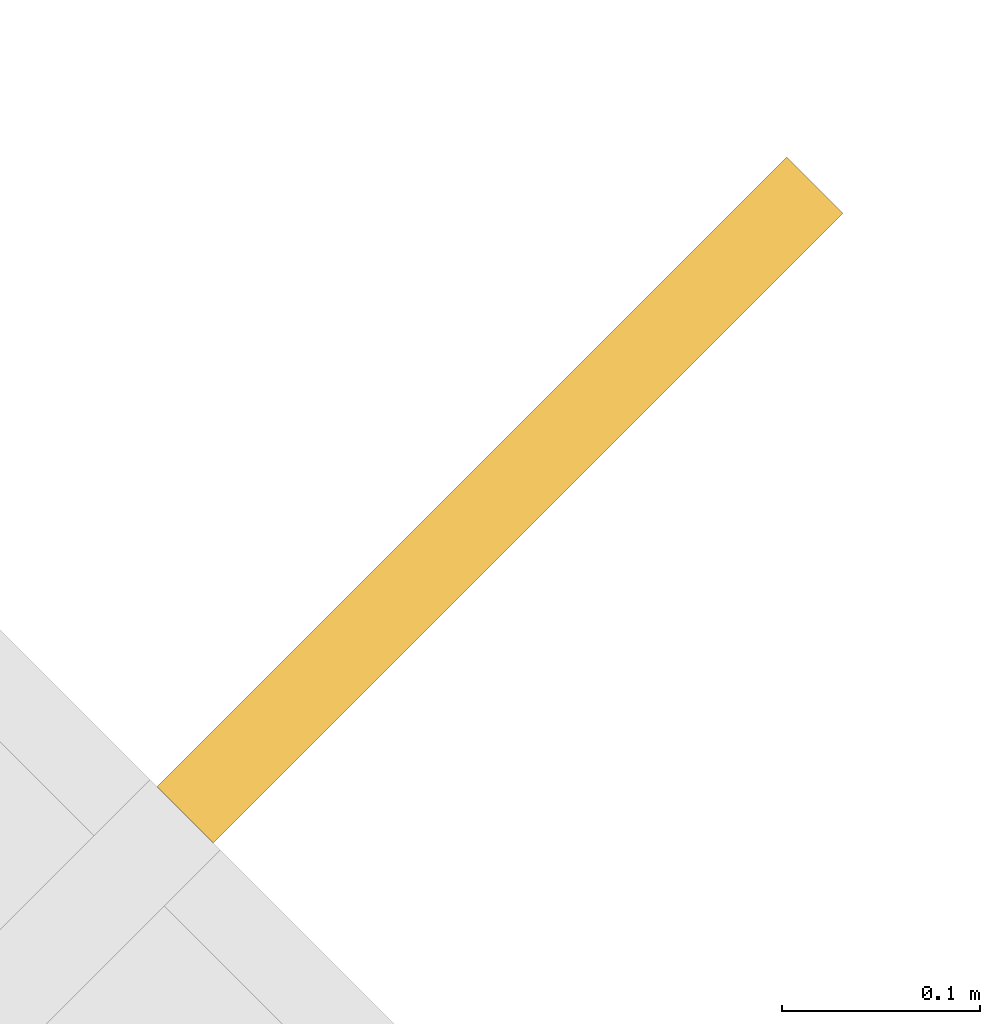
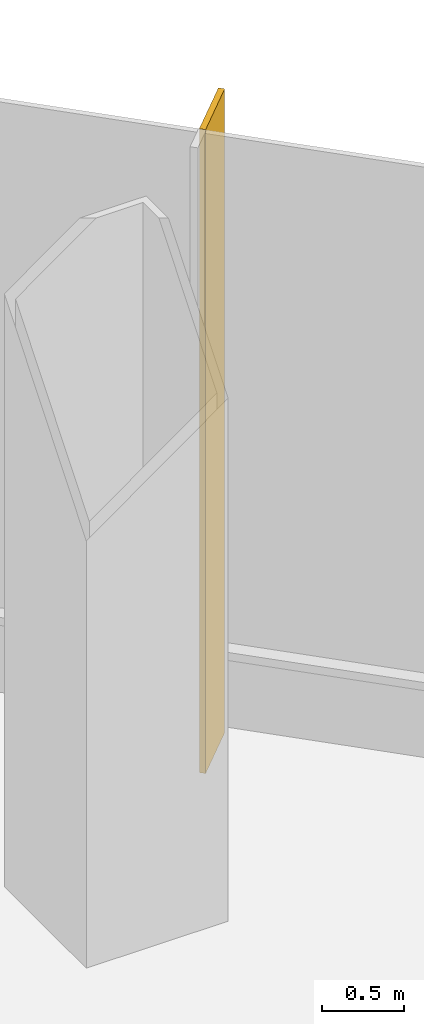
# One storey, part 33 of 34: 1 shading device.
"""IFC4 building model written with IfcOpenShell, lengths in metres."""

from ifc_helpers import new_model, si_unit, direction, frame, origin, origin_2d, place, context, subcontext, project, spatial, rectangle, extrude, material, material_profile, profile_set, type_object, element, save


model = new_model("IFC4")

# Units and contexts
model_context = context("Model", 3, precision=1e-05, world=origin(), true_north=direction((0.0, 1.0)))
body_context = subcontext(model_context, "Body", "Model", "MODEL_VIEW")
ifc_project = project(units=[si_unit("LENGTHUNIT", "METRE"), si_unit("AREAUNIT", "SQUARE_METRE"), si_unit("VOLUMEUNIT", "CUBIC_METRE"), si_unit("PLANEANGLEUNIT", "RADIAN"), si_unit("MASSUNIT", "GRAM", prefix="KILO")], contexts=[model_context])

# Site, building, storey
site_placement = place(None, origin())
site = spatial("IfcSite", under=ifc_project, at=site_placement, CompositionType="ELEMENT")
building_placement = place(site_placement, origin())
building = spatial("IfcBuilding", under=site, at=building_placement, Name="Sorahane Residences", CompositionType="ELEMENT")
storey_placement = place(building_placement, frame((0.0, 0.0, 20.39990234375)))
storey = spatial("IfcBuildingStorey", under=building, at=storey_placement, Name="L02", CompositionType="ELEMENT", Elevation=20.39990234375)

# Shading device
ifc_material = material(Name="Terracotta anodised aluminium", Category="masonry")
ifc_material_profile = material_profile(ifc_material, rectangle(XDim=0.449951171875, YDim=0.0400390625, at=origin_2d()), Name="Podium vertical fin terracotta anodised aluminium 450x40")
ifc_profile_set = profile_set([ifc_material_profile], Name="Terracotta anodised aluminium")
shading_device_type = type_object("IfcShadingDeviceType", Name="Podium vertical fin terracotta anodised aluminium 450x40", PredefinedType="USERDEFINED", material=ifc_profile_set)
shading_device_placement = place(storey_placement, frame((67.597412109375, 49.597412109375, -0.39990234375), z_axis=(0.0, 0.0, 1.0), x_axis=(0.707106781187, 0.707106781187, 0.0)))
element("IfcShadingDevice", 1, at=shading_device_placement, inside=storey, type_object=shading_device_type, Name="Podium vertical fin L02 NE1.1", ObjectType="Vertical fin", PredefinedType="USERDEFINED", context=body_context, shape_type="SweptSolid", body=[
    extrude(rectangle(XDim=0.449951171875, YDim=0.0400390625, at=origin_2d()), origin(), (0.0, 0.0, 1.0), 4.800048828125),
])

save(model, "model.ifc")
